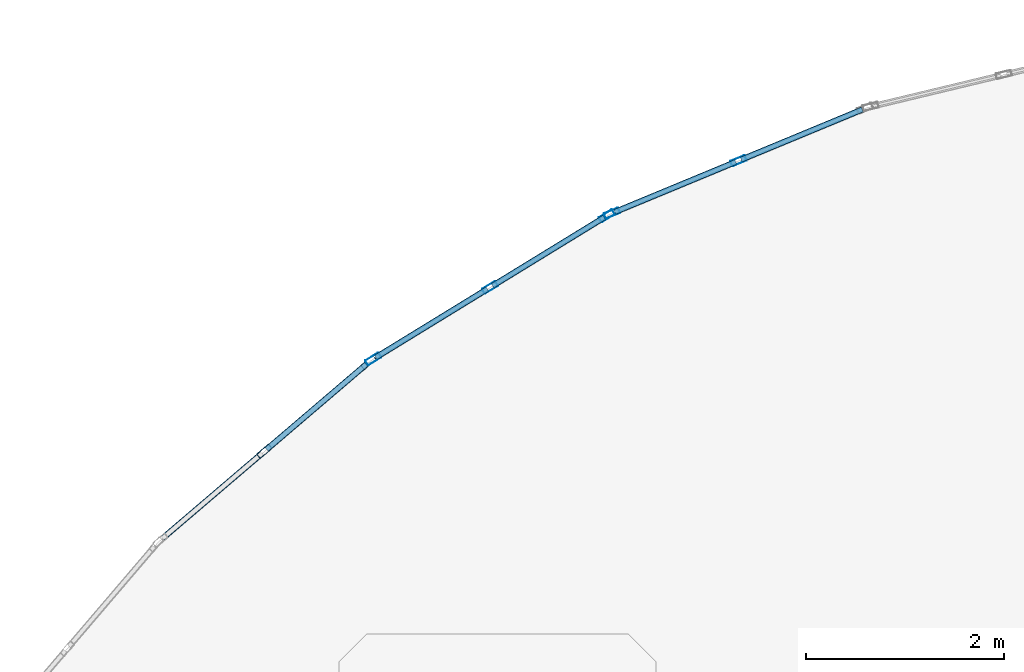
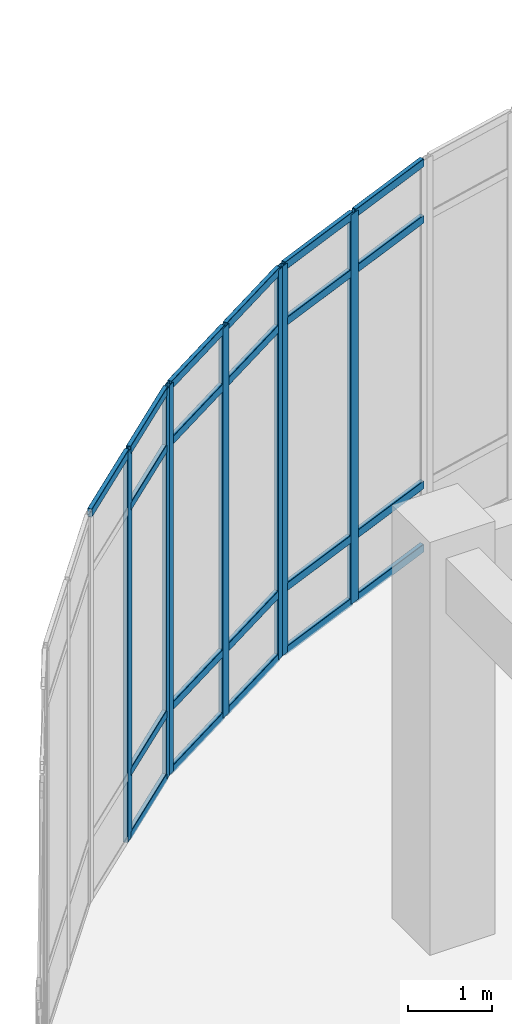
# One storey, part 21 of 82: 28 members, 3 elements without a shape of their own.
"""IFC4 building model written with IfcOpenShell, lengths in metres."""

from ifc_helpers import new_model, si_unit, derived_unit, direction, frame, origin, origin_2d, place, context, subcontext, project, spatial, hollow_rectangle, extrude, material, layer, layer_set, material_profile, profile_set, type_object, element, aggregate, save


model = new_model("IFC4")

# Units and contexts
model_context = context("Model", 3, precision=1e-05, world=origin(), true_north=direction((0.0, 1.0)))
body_context = subcontext(model_context, "Body", "Model", "MODEL_VIEW")
ifc_project = project(units=[si_unit("LENGTHUNIT", "METRE"), si_unit("AREAUNIT", "SQUARE_METRE"), si_unit("VOLUMEUNIT", "CUBIC_METRE"), si_unit("PLANEANGLEUNIT", "RADIAN"), si_unit("MASSUNIT", "GRAM", prefix="KILO"), derived_unit("THERMALTRANSMITTANCEUNIT", [(si_unit("MASSUNIT", "GRAM", prefix="KILO"), 1), (si_unit("TIMEUNIT", "SECOND"), -3), (si_unit("THERMODYNAMICTEMPERATUREUNIT", "KELVIN"), -1)])], contexts=[model_context])

# Site, building, storey
site_placement = place(None, origin())
site = spatial("IfcSite", under=ifc_project, at=site_placement, CompositionType="ELEMENT")
building_placement = place(site_placement, origin())
building = spatial("IfcBuilding", under=site, at=building_placement, Name="Qinzheling Arcade Emporium", CompositionType="ELEMENT")
storey_placement = place(building_placement, origin())
storey = spatial("IfcBuildingStorey", under=building, at=storey_placement, Name="L01", CompositionType="ELEMENT", Elevation=0.0)

# Curtain wall, members
ifc_material_1 = material(Name="Anodised aluminium and solar-control double glazing", Category="aluminium")
ifc_layer = layer(ifc_material_1, 0.159912109375, Name="Anodised aluminium and solar-control double glazing", Category="aluminium")
ifc_layer_set = layer_set([ifc_layer], Name="Anodised aluminium and solar-control double glazing")
curtain_wall_type = type_object("IfcCurtainWallType", Name="Curved Ribbon Sales Curtain Wall", PredefinedType="NOTDEFINED", material=ifc_layer_set)
curtain_wall_1_placement = place(storey_placement, origin())
curtain_wall_1 = element("IfcCurtainWall", 1, at=curtain_wall_1_placement, inside=storey, type_object=curtain_wall_type, Name="Curtain Wall CW-L01-031", PredefinedType="NOTDEFINED")
ifc_material_2 = material(Name="Anodised aluminium 6063-T6", Category="aluminium")
ifc_material_profile_1 = material_profile(ifc_material_2, hollow_rectangle(XDim=0.06005859375, YDim=0.159912109375, WallThickness=0.00390625, InnerFilletRadius=0.00390625, OuterFilletRadius=0.008056640625, at=origin_2d()), Name="RHS 160x60x4", Category="aluminium")
ifc_profile_set_1 = profile_set([ifc_material_profile_1], Name="Anodised aluminium 6063-T6")
member_type_1 = type_object("IfcMemberType", Name="Curtain Wall Mullion RHS160x60", PredefinedType="MULLION", material=ifc_profile_set_1)
member_1_placement = place(storey_placement, frame((58.5458984375, 110.2451171875, 0.0), z_axis=(0.0, 0.0, 1.0), x_axis=(-0.64933231048, 0.760504799831, 0.0)))
member_1 = element("IfcMember", 2, at=member_1_placement, type_object=member_type_1, Name="CW02 mullion 2", PredefinedType="MULLION", context=body_context, shape_type="SweptSolid", body=[
    extrude(hollow_rectangle(XDim=0.06005859375, YDim=0.159912109375, WallThickness=0.00390625, InnerFilletRadius=0.00390625, OuterFilletRadius=0.008056640625, at=origin_2d()), origin(), (0.0, 0.0, 1.0), 5.659912109375),
])
member_2_placement = place(storey_placement, frame((59.59716796875, 111.142578125, 0.0), z_axis=(0.0, 0.0, 1.0), x_axis=(-0.64933231048, 0.760504799831, 0.0)))
member_2 = element("IfcMember", 3, at=member_2_placement, type_object=member_type_1, Name="CW02 mullion 3", PredefinedType="MULLION", context=body_context, shape_type="SweptSolid", body=[
    extrude(hollow_rectangle(XDim=0.06005859375, YDim=0.159912109375, WallThickness=0.00390625, InnerFilletRadius=0.00390625, OuterFilletRadius=0.008056640625, at=origin_2d()), origin(), (0.0, 0.0, 1.0), 5.659912109375),
])

curtain_wall_2_placement = place(storey_placement, origin())
curtain_wall_2 = element("IfcCurtainWall", 4, at=curtain_wall_2_placement, inside=storey, type_object=curtain_wall_type, Name="Curtain Wall CW-L01-032", PredefinedType="NOTDEFINED")
member_3_placement = place(storey_placement, frame((59.6455078125, 111.177734375, 0.0), z_axis=(0.0, 0.0, 1.0), x_axis=(-0.522595267575, 0.852580897222, 0.0)))
member_3 = element("IfcMember", 5, at=member_3_placement, type_object=member_type_1, Name="CW02 mullion 1", PredefinedType="MULLION", context=body_context, shape_type="SweptSolid", body=[
    extrude(hollow_rectangle(XDim=0.06005859375, YDim=0.159912109375, WallThickness=0.00390625, InnerFilletRadius=0.00390625, OuterFilletRadius=0.008056640625, at=origin_2d()), origin(), (0.0, 0.0, 1.0), 5.659912109375),
])
member_4_placement = place(storey_placement, frame((60.823974609375, 111.89990234375, 0.0), z_axis=(0.0, 0.0, 1.0), x_axis=(-0.522595267575, 0.852580897222, 0.0)))
member_4 = element("IfcMember", 6, at=member_4_placement, type_object=member_type_1, Name="CW02 mullion 2", PredefinedType="MULLION", context=body_context, shape_type="SweptSolid", body=[
    extrude(hollow_rectangle(XDim=0.06005859375, YDim=0.159912109375, WallThickness=0.00390625, InnerFilletRadius=0.00390625, OuterFilletRadius=0.008056640625, at=origin_2d()), origin(), (0.0, 0.0, 1.0), 5.659912109375),
])
member_5_placement = place(storey_placement, frame((62.00244140625, 112.622314453125, 0.0), z_axis=(0.0, 0.0, 1.0), x_axis=(-0.522595267575, 0.852580897222, 0.0)))
member_5 = element("IfcMember", 7, at=member_5_placement, type_object=member_type_1, Name="CW02 mullion 3", PredefinedType="MULLION", context=body_context, shape_type="SweptSolid", body=[
    extrude(hollow_rectangle(XDim=0.06005859375, YDim=0.159912109375, WallThickness=0.00390625, InnerFilletRadius=0.00390625, OuterFilletRadius=0.008056640625, at=origin_2d()), origin(), (0.0, 0.0, 1.0), 5.659912109375),
])

curtain_wall_3_placement = place(storey_placement, origin())
curtain_wall_3 = element("IfcCurtainWall", 8, at=curtain_wall_3_placement, inside=storey, type_object=curtain_wall_type, Name="Curtain Wall CW-L01-033", PredefinedType="NOTDEFINED")
member_6_placement = place(storey_placement, frame((62.0556640625, 112.6494140625, 0.0), z_axis=(0.0, 0.0, 1.0), x_axis=(-0.382654004198, 0.923891721508, 0.0)))
member_6 = element("IfcMember", 9, at=member_6_placement, type_object=member_type_1, Name="CW02 mullion 1", PredefinedType="MULLION", context=body_context, shape_type="SweptSolid", body=[
    extrude(hollow_rectangle(XDim=0.06005859375, YDim=0.159912109375, WallThickness=0.00390625, InnerFilletRadius=0.00390625, OuterFilletRadius=0.008056640625, at=origin_2d()), origin(), (0.0, 0.0, 1.0), 5.659912109375),
])
member_7_placement = place(storey_placement, frame((63.3330078125, 113.178466796875, 0.0), z_axis=(0.0, 0.0, 1.0), x_axis=(-0.382654004198, 0.923891721508, 0.0)))
member_7 = element("IfcMember", 10, at=member_7_placement, type_object=member_type_1, Name="CW02 mullion 2", PredefinedType="MULLION", context=body_context, shape_type="SweptSolid", body=[
    extrude(hollow_rectangle(XDim=0.06005859375, YDim=0.159912109375, WallThickness=0.00390625, InnerFilletRadius=0.00390625, OuterFilletRadius=0.008056640625, at=origin_2d()), origin(), (0.0, 0.0, 1.0), 5.659912109375),
])

# Member
ifc_material_profile_2 = material_profile(ifc_material_2, hollow_rectangle(XDim=0.06005859375, YDim=0.1201171875, WallThickness=0.00390625, InnerFilletRadius=0.00390625, OuterFilletRadius=0.008056640625, at=origin_2d()), Name="RHS 120x60x4", Category="aluminium")
ifc_profile_set_2 = profile_set([ifc_material_profile_2], Name="Anodised aluminium 6063-T6")
member_type_2 = type_object("IfcMemberType", Name="Curtain Wall Transom RHS120x60", PredefinedType="USERDEFINED", material=ifc_profile_set_2)
member_8_placement = place(storey_placement, frame((57.517578125, 109.366943359375, 5.6298828125), z_axis=(0.760493339257, 0.649345732985, 0.0), x_axis=(-0.649345732985, 0.760493339257, 0.0)))
member_8 = element("IfcMember", 11, at=member_8_placement, type_object=member_type_2, Name="CW02 transom 1.4", ObjectType="TRANSOM", PredefinedType="USERDEFINED", context=body_context, shape_type="SweptSolid", body=[
    extrude(hollow_rectangle(XDim=0.06005859375, YDim=0.1201171875, WallThickness=0.00390625, InnerFilletRadius=0.00390625, OuterFilletRadius=0.008056640625, at=origin_2d()), origin(), (0.0, 0.0, 1.0), 1.322265625),
])

member_9_placement = place(storey_placement, frame((58.56884765625, 110.264404296875, 0.030029296875), z_axis=(0.760493339257, 0.649345732985, 0.0), x_axis=(-0.649345732985, 0.760493339257, 0.0)))
member_9 = element("IfcMember", 12, at=member_9_placement, type_object=member_type_2, Name="CW02 transom 2.1", ObjectType="TRANSOM", PredefinedType="USERDEFINED", context=body_context, shape_type="SweptSolid", body=[
    extrude(hollow_rectangle(XDim=0.06005859375, YDim=0.1201171875, WallThickness=0.00390625, InnerFilletRadius=0.00390625, OuterFilletRadius=0.008056640625, at=origin_2d()), origin(), (0.0, 0.0, 1.0), 1.322265625),
])

member_10_placement = place(storey_placement, frame((58.56884765625, 110.264404296875, 0.949951171875), z_axis=(0.760493339257, 0.649345732985, 0.0), x_axis=(-0.649345732985, 0.760493339257, 0.0)))
member_10 = element("IfcMember", 13, at=member_10_placement, type_object=member_type_2, Name="CW02 transom 2.2", ObjectType="TRANSOM", PredefinedType="USERDEFINED", context=body_context, shape_type="SweptSolid", body=[
    extrude(hollow_rectangle(XDim=0.06005859375, YDim=0.1201171875, WallThickness=0.00390625, InnerFilletRadius=0.00390625, OuterFilletRadius=0.008056640625, at=origin_2d()), origin(), (0.0, 0.0, 1.0), 1.322265625),
])

member_11_placement = place(storey_placement, frame((58.56884765625, 110.264404296875, 4.81005859375), z_axis=(0.760493339257, 0.649345732985, 0.0), x_axis=(-0.649345732985, 0.760493339257, 0.0)))
member_11 = element("IfcMember", 14, at=member_11_placement, type_object=member_type_2, Name="CW02 transom 2.3", ObjectType="TRANSOM", PredefinedType="USERDEFINED", context=body_context, shape_type="SweptSolid", body=[
    extrude(hollow_rectangle(XDim=0.06005859375, YDim=0.1201171875, WallThickness=0.00390625, InnerFilletRadius=0.00390625, OuterFilletRadius=0.008056640625, at=origin_2d()), origin(), (0.0, 0.0, 1.0), 1.322265625),
])

member_12_placement = place(storey_placement, frame((58.56884765625, 110.264404296875, 5.6298828125), z_axis=(0.760493339257, 0.649345732985, 0.0), x_axis=(-0.649345732985, 0.760493339257, 0.0)))
member_12 = element("IfcMember", 15, at=member_12_placement, type_object=member_type_2, Name="CW02 transom 2.4", ObjectType="TRANSOM", PredefinedType="USERDEFINED", context=body_context, shape_type="SweptSolid", body=[
    extrude(hollow_rectangle(XDim=0.06005859375, YDim=0.1201171875, WallThickness=0.00390625, InnerFilletRadius=0.00390625, OuterFilletRadius=0.008056640625, at=origin_2d()), origin(), (0.0, 0.0, 1.0), 1.322265625),
])

aggregate(curtain_wall_1, [member_1, member_2, member_8, member_9, member_10, member_11, member_12])

member_13_placement = place(storey_placement, frame((59.671142578125, 111.193359375, 0.030029296875), z_axis=(0.852582673964, 0.522592368923, 0.0), x_axis=(-0.522592368923, 0.852582673964, 0.0)))
member_13 = element("IfcMember", 16, at=member_13_placement, type_object=member_type_2, Name="CW02 transom 1.1", ObjectType="TRANSOM", PredefinedType="USERDEFINED", context=body_context, shape_type="SweptSolid", body=[
    extrude(hollow_rectangle(XDim=0.06005859375, YDim=0.1201171875, WallThickness=0.00390625, InnerFilletRadius=0.00390625, OuterFilletRadius=0.008056640625, at=origin_2d()), origin(), (0.0, 0.0, 1.0), 1.322021484375),
])

member_14_placement = place(storey_placement, frame((59.671142578125, 111.193359375, 0.949951171875), z_axis=(0.852582673964, 0.522592368923, 0.0), x_axis=(-0.522592368923, 0.852582673964, 0.0)))
member_14 = element("IfcMember", 17, at=member_14_placement, type_object=member_type_2, Name="CW02 transom 1.2", ObjectType="TRANSOM", PredefinedType="USERDEFINED", context=body_context, shape_type="SweptSolid", body=[
    extrude(hollow_rectangle(XDim=0.06005859375, YDim=0.1201171875, WallThickness=0.00390625, InnerFilletRadius=0.00390625, OuterFilletRadius=0.008056640625, at=origin_2d()), origin(), (0.0, 0.0, 1.0), 1.322021484375),
])

member_15_placement = place(storey_placement, frame((59.671142578125, 111.193359375, 4.81005859375), z_axis=(0.852582673964, 0.522592368923, 0.0), x_axis=(-0.522592368923, 0.852582673964, 0.0)))
member_15 = element("IfcMember", 18, at=member_15_placement, type_object=member_type_2, Name="CW02 transom 1.3", ObjectType="TRANSOM", PredefinedType="USERDEFINED", context=body_context, shape_type="SweptSolid", body=[
    extrude(hollow_rectangle(XDim=0.06005859375, YDim=0.1201171875, WallThickness=0.00390625, InnerFilletRadius=0.00390625, OuterFilletRadius=0.008056640625, at=origin_2d()), origin(), (0.0, 0.0, 1.0), 1.322021484375),
])

member_16_placement = place(storey_placement, frame((59.671142578125, 111.193359375, 5.6298828125), z_axis=(0.852582673964, 0.522592368923, 0.0), x_axis=(-0.522592368923, 0.852582673964, 0.0)))
member_16 = element("IfcMember", 19, at=member_16_placement, type_object=member_type_2, Name="CW02 transom 1.4", ObjectType="TRANSOM", PredefinedType="USERDEFINED", context=body_context, shape_type="SweptSolid", body=[
    extrude(hollow_rectangle(XDim=0.06005859375, YDim=0.1201171875, WallThickness=0.00390625, InnerFilletRadius=0.00390625, OuterFilletRadius=0.008056640625, at=origin_2d()), origin(), (0.0, 0.0, 1.0), 1.322021484375),
])

member_17_placement = place(storey_placement, frame((60.849609375, 111.915771484375, 0.030029296875), z_axis=(0.852582673964, 0.522592368923, 0.0), x_axis=(-0.522592368923, 0.852582673964, 0.0)))
member_17 = element("IfcMember", 20, at=member_17_placement, type_object=member_type_2, Name="CW02 transom 2.1", ObjectType="TRANSOM", PredefinedType="USERDEFINED", context=body_context, shape_type="SweptSolid", body=[
    extrude(hollow_rectangle(XDim=0.06005859375, YDim=0.1201171875, WallThickness=0.00390625, InnerFilletRadius=0.00390625, OuterFilletRadius=0.008056640625, at=origin_2d()), origin(), (0.0, 0.0, 1.0), 1.322021484375),
])

member_18_placement = place(storey_placement, frame((60.849609375, 111.915771484375, 0.949951171875), z_axis=(0.852582673964, 0.522592368923, 0.0), x_axis=(-0.522592368923, 0.852582673964, 0.0)))
member_18 = element("IfcMember", 21, at=member_18_placement, type_object=member_type_2, Name="CW02 transom 2.2", ObjectType="TRANSOM", PredefinedType="USERDEFINED", context=body_context, shape_type="SweptSolid", body=[
    extrude(hollow_rectangle(XDim=0.06005859375, YDim=0.1201171875, WallThickness=0.00390625, InnerFilletRadius=0.00390625, OuterFilletRadius=0.008056640625, at=origin_2d()), origin(), (0.0, 0.0, 1.0), 1.322021484375),
])

member_19_placement = place(storey_placement, frame((60.849609375, 111.915771484375, 4.81005859375), z_axis=(0.852582673964, 0.522592368923, 0.0), x_axis=(-0.522592368923, 0.852582673964, 0.0)))
member_19 = element("IfcMember", 22, at=member_19_placement, type_object=member_type_2, Name="CW02 transom 2.3", ObjectType="TRANSOM", PredefinedType="USERDEFINED", context=body_context, shape_type="SweptSolid", body=[
    extrude(hollow_rectangle(XDim=0.06005859375, YDim=0.1201171875, WallThickness=0.00390625, InnerFilletRadius=0.00390625, OuterFilletRadius=0.008056640625, at=origin_2d()), origin(), (0.0, 0.0, 1.0), 1.322021484375),
])

member_20_placement = place(storey_placement, frame((60.849609375, 111.915771484375, 5.6298828125), z_axis=(0.852582673964, 0.522592368923, 0.0), x_axis=(-0.522592368923, 0.852582673964, 0.0)))
member_20 = element("IfcMember", 23, at=member_20_placement, type_object=member_type_2, Name="CW02 transom 2.4", ObjectType="TRANSOM", PredefinedType="USERDEFINED", context=body_context, shape_type="SweptSolid", body=[
    extrude(hollow_rectangle(XDim=0.06005859375, YDim=0.1201171875, WallThickness=0.00390625, InnerFilletRadius=0.00390625, OuterFilletRadius=0.008056640625, at=origin_2d()), origin(), (0.0, 0.0, 1.0), 1.322021484375),
])

aggregate(curtain_wall_2, [member_3, member_4, member_5, member_13, member_14, member_15, member_16, member_17, member_18, member_19, member_20])

member_21_placement = place(storey_placement, frame((62.08349609375, 112.660888671875, 0.030029296875), z_axis=(0.923861559167, 0.382726820974, 0.0), x_axis=(-0.382726820974, 0.923861559167, 0.0)))
member_21 = element("IfcMember", 24, at=member_21_placement, type_object=member_type_2, Name="CW02 transom 1.1", ObjectType="TRANSOM", PredefinedType="USERDEFINED", context=body_context, shape_type="SweptSolid", body=[
    extrude(hollow_rectangle(XDim=0.06005859375, YDim=0.1201171875, WallThickness=0.00390625, InnerFilletRadius=0.00390625, OuterFilletRadius=0.008056640625, at=origin_2d()), origin(), (0.0, 0.0, 1.0), 1.322265625),
])

member_22_placement = place(storey_placement, frame((62.08349609375, 112.660888671875, 0.949951171875), z_axis=(0.923861559167, 0.382726820974, 0.0), x_axis=(-0.382726820974, 0.923861559167, 0.0)))
member_22 = element("IfcMember", 25, at=member_22_placement, type_object=member_type_2, Name="CW02 transom 1.2", ObjectType="TRANSOM", PredefinedType="USERDEFINED", context=body_context, shape_type="SweptSolid", body=[
    extrude(hollow_rectangle(XDim=0.06005859375, YDim=0.1201171875, WallThickness=0.00390625, InnerFilletRadius=0.00390625, OuterFilletRadius=0.008056640625, at=origin_2d()), origin(), (0.0, 0.0, 1.0), 1.322265625),
])

member_23_placement = place(storey_placement, frame((62.08349609375, 112.660888671875, 4.81005859375), z_axis=(0.923861559167, 0.382726820974, 0.0), x_axis=(-0.382726820974, 0.923861559167, 0.0)))
member_23 = element("IfcMember", 26, at=member_23_placement, type_object=member_type_2, Name="CW02 transom 1.3", ObjectType="TRANSOM", PredefinedType="USERDEFINED", context=body_context, shape_type="SweptSolid", body=[
    extrude(hollow_rectangle(XDim=0.06005859375, YDim=0.1201171875, WallThickness=0.00390625, InnerFilletRadius=0.00390625, OuterFilletRadius=0.008056640625, at=origin_2d()), origin(), (0.0, 0.0, 1.0), 1.322265625),
])

member_24_placement = place(storey_placement, frame((62.08349609375, 112.660888671875, 5.6298828125), z_axis=(0.923861559167, 0.382726820974, 0.0), x_axis=(-0.382726820974, 0.923861559167, 0.0)))
member_24 = element("IfcMember", 27, at=member_24_placement, type_object=member_type_2, Name="CW02 transom 1.4", ObjectType="TRANSOM", PredefinedType="USERDEFINED", context=body_context, shape_type="SweptSolid", body=[
    extrude(hollow_rectangle(XDim=0.06005859375, YDim=0.1201171875, WallThickness=0.00390625, InnerFilletRadius=0.00390625, OuterFilletRadius=0.008056640625, at=origin_2d()), origin(), (0.0, 0.0, 1.0), 1.322265625),
])

member_25_placement = place(storey_placement, frame((63.360595703125, 113.18994140625, 0.030029296875), z_axis=(0.92388859603, 0.382661550363, 0.0), x_axis=(-0.382661550363, 0.92388859603, 0.0)))
member_25 = element("IfcMember", 28, at=member_25_placement, type_object=member_type_2, Name="CW02 transom 2.1", ObjectType="TRANSOM", PredefinedType="USERDEFINED", context=body_context, shape_type="SweptSolid", body=[
    extrude(hollow_rectangle(XDim=0.06005859375, YDim=0.1201171875, WallThickness=0.00390625, InnerFilletRadius=0.00390625, OuterFilletRadius=0.008056640625, at=origin_2d()), origin(), (0.0, 0.0, 1.0), 1.322509765625),
])

member_26_placement = place(storey_placement, frame((63.360595703125, 113.18994140625, 0.949951171875), z_axis=(0.92388859603, 0.382661550363, 0.0), x_axis=(-0.382661550363, 0.92388859603, 0.0)))
member_26 = element("IfcMember", 29, at=member_26_placement, type_object=member_type_2, Name="CW02 transom 2.2", ObjectType="TRANSOM", PredefinedType="USERDEFINED", context=body_context, shape_type="SweptSolid", body=[
    extrude(hollow_rectangle(XDim=0.06005859375, YDim=0.1201171875, WallThickness=0.00390625, InnerFilletRadius=0.00390625, OuterFilletRadius=0.008056640625, at=origin_2d()), origin(), (0.0, 0.0, 1.0), 1.322509765625),
])

member_27_placement = place(storey_placement, frame((63.360595703125, 113.18994140625, 4.81005859375), z_axis=(0.92388859603, 0.382661550363, 0.0), x_axis=(-0.382661550363, 0.92388859603, 0.0)))
member_27 = element("IfcMember", 30, at=member_27_placement, type_object=member_type_2, Name="CW02 transom 2.3", ObjectType="TRANSOM", PredefinedType="USERDEFINED", context=body_context, shape_type="SweptSolid", body=[
    extrude(hollow_rectangle(XDim=0.06005859375, YDim=0.1201171875, WallThickness=0.00390625, InnerFilletRadius=0.00390625, OuterFilletRadius=0.008056640625, at=origin_2d()), origin(), (0.0, 0.0, 1.0), 1.322509765625),
])

member_28_placement = place(storey_placement, frame((63.360595703125, 113.18994140625, 5.6298828125), z_axis=(0.92388859603, 0.382661550363, 0.0), x_axis=(-0.382661550363, 0.92388859603, 0.0)))
member_28 = element("IfcMember", 31, at=member_28_placement, type_object=member_type_2, Name="CW02 transom 2.4", ObjectType="TRANSOM", PredefinedType="USERDEFINED", context=body_context, shape_type="SweptSolid", body=[
    extrude(hollow_rectangle(XDim=0.06005859375, YDim=0.1201171875, WallThickness=0.00390625, InnerFilletRadius=0.00390625, OuterFilletRadius=0.008056640625, at=origin_2d()), origin(), (0.0, 0.0, 1.0), 1.322509765625),
])

aggregate(curtain_wall_3, [member_6, member_7, member_21, member_22, member_23, member_24, member_25, member_26, member_27, member_28])

save(model, "model.ifc")
